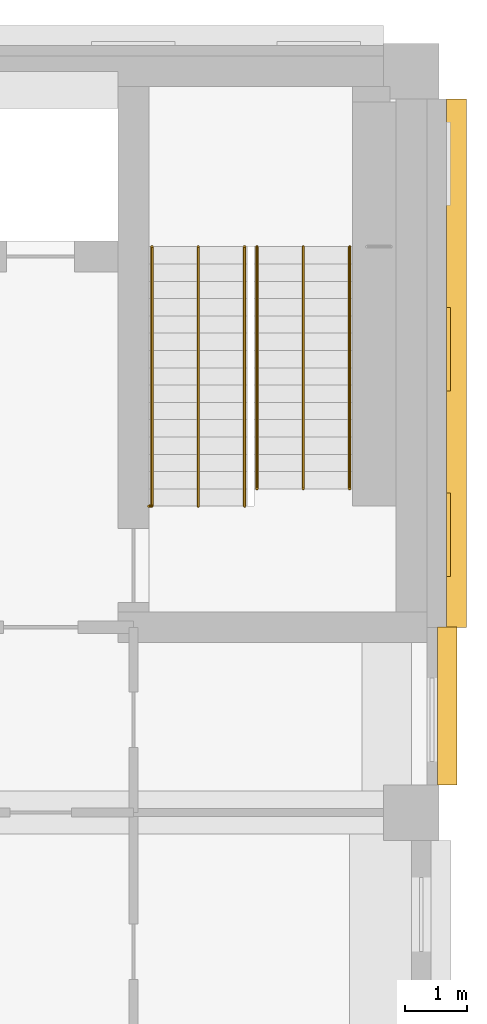
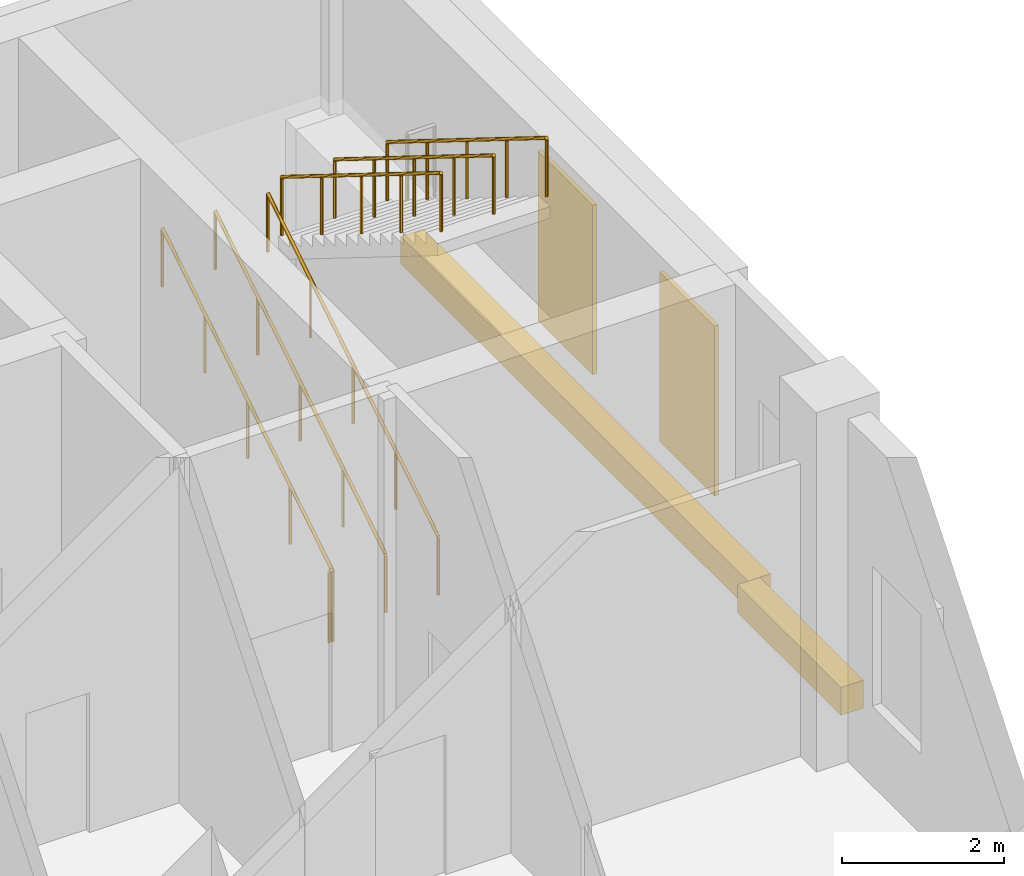
# One storey, part 46 of 53: 7 railings, 4 coverings.
"""IFC4 building model written with IfcOpenShell, lengths in metres."""

from ifc_helpers import new_model, si_unit, direction, frame, origin, origin_2d, place, context, subcontext, project, spatial, rectangle, circle, extrude, material, layer, layer_set, type_object, element, save


model = new_model("IFC4")

# Units and contexts
model_context = context("Model", 3, precision=1e-05, world=origin(), true_north=direction((0.0, 1.0)))
body_context = subcontext(model_context, "Body", "Model", "MODEL_VIEW")
ifc_project = project(units=[si_unit("LENGTHUNIT", "METRE"), si_unit("AREAUNIT", "SQUARE_METRE"), si_unit("VOLUMEUNIT", "CUBIC_METRE"), si_unit("PLANEANGLEUNIT", "RADIAN"), si_unit("MASSUNIT", "GRAM", prefix="KILO")], contexts=[model_context])

# Site, building, storey
site_placement = place(None, origin())
site = spatial("IfcSite", under=ifc_project, at=site_placement, CompositionType="ELEMENT")
building_placement = place(site_placement, origin())
building = spatial("IfcBuilding", under=site, at=building_placement, Name="Aurelan Courthouse", CompositionType="ELEMENT")
storey_placement = place(building_placement, frame((0.0, 0.0, 12.0)))
storey = spatial("IfcBuildingStorey", under=building, at=storey_placement, Name="L02", CompositionType="ELEMENT", Elevation=12.0)

# Coverings
ifc_material_1 = material(Name="Bronze sheet cladding")
ifc_layer = layer(ifc_material_1, 0.06005859375)
ifc_layer_set = layer_set([ifc_layer], Name="Bronze sheet cladding")
covering_type_1 = type_object("IfcCoveringType", Name="Law Library blind bay 1350 x 2550", PredefinedType="CLADDING", material=ifc_layer_set)
for number, where, z_axis, x_axis, name in (
    (1, (90.60009765625, 58.5, 1.2001953125), (0.0, 0.0, 1.0), (1.0, 0.0, 0.0), "Blind bay BB-V3-L02-007"),
    (2, (90.60009765625, 61.5, 1.2001953125), (0.0, 0.0, 1.0), (1.0, 0.0, 0.0), "Blind bay BB-V3-L02-008"),
):
    element("IfcCovering", number, at=place(storey_placement, frame(where, z_axis=z_axis, x_axis=x_axis)), inside=storey, type_object=covering_type_1, Name=name, PredefinedType="CLADDING", context=body_context, shape_type="SweptSolid", body=[
        extrude(rectangle(XDim=0.06005859375, YDim=1.35009765625, at=origin_2d()), origin(), (0.0, 0.0, 1.0), 2.550048828125),
    ])
ifc_material_2 = material(Name="Limestone cladding", Category="masonry")
covering_type_2 = type_object("IfcCoveringType", Name="Law Library string course 420 x 320", PredefinedType="CLADDING", material=ifc_material_2)
covering_1_placement = place(storey_placement, frame((90.580078125, 55.72509765625, 0.0), z_axis=(0.0, 0.0, 1.0), x_axis=(1.0, 0.0, 0.0)))
element("IfcCovering", 3, at=covering_1_placement, inside=storey, type_object=covering_type_2, Name="String course SC-V3-005", PredefinedType="CLADDING", context=body_context, shape_type="SweptSolid", body=[
    extrude(rectangle(XDim=0.320068359375, YDim=2.550048828125, at=origin_2d()), origin(), (0.0, 0.0, 1.0), 0.419921875),
])
covering_2_placement = place(storey_placement, frame((90.72998046875, 61.27490234375, 0.0), z_axis=(0.0, 0.0, 1.0), x_axis=(1.0, 0.0, 0.0)))
element("IfcCovering", 4, at=covering_2_placement, inside=storey, type_object=covering_type_2, Name="String course SC-V3-008", PredefinedType="CLADDING", context=body_context, shape_type="SweptSolid", body=[
    extrude(rectangle(XDim=0.320068359375, YDim=8.550048828125, at=origin_2d()), origin(), (0.0, 0.0, 1.0), 0.419921875),
])

# Railings
ifc_material_3 = material(Name="Steel S355", Category="steel")
railing_type_1 = type_object("IfcRailingType", Name="Stair guard 1100", PredefinedType="GUARDRAIL", material=ifc_material_3)
railing_placement = place(storey_placement, frame((85.800048828125, 58.9599609375, 0.0)))
element("IfcRailing", 5, at=railing_placement, inside=storey, type_object=railing_type_1, Name="Guard ST-3B-L02-H1-C", PredefinedType="GUARDRAIL", context=body_context, shape_type="SweptSolid", body=[
    extrude(circle(Radius=0.02392578125, at=origin_2d()), frame((0.0, 0.0, 1.076171875), z_axis=(-1.0, 0.0, 0.0), x_axis=(0.0, -1.0, 0.0)), (0.0, 0.0, 1.0), 0.050048828125),
    extrude(circle(Radius=0.02099609375, at=origin_2d()), origin(), (0.0, 0.0, 1.0), 1.052001953125),
    extrude(circle(Radius=0.02099609375, at=origin_2d()), frame((-0.050048828125, 0.0, 0.0)), (0.0, 0.0, 1.0), 1.052001953125),
])
railing_type_2 = type_object("IfcRailingType", Name="Stair handrail 900", PredefinedType="HANDRAIL", material=ifc_material_3)
for number, where, name in (
    (6, (85.800048828125, 58.9599609375, 0.17431640625), "Handrail ST-3B-L02-H1"),
    (7, (87.300048828125, 58.9599609375, 0.17431640625), "Handrail ST-3B-L02-H2"),
    (8, (86.550048828125, 58.9599609375, 0.17431640625), "Handrail ST-3B-L02-H3"),
):
    element("IfcRailing", number, at=place(storey_placement, frame(where)), inside=storey, type_object=railing_type_2, Name=name, PredefinedType="HANDRAIL", context=body_context, shape_type="SweptSolid", body=[
        extrude(circle(Radius=0.02392578125, at=origin_2d()), frame((0.0, 0.0, 0.8759765625), z_axis=(0.0, 0.849102848233, 0.528227558088), x_axis=(-1.0, 0.0, 0.0)), (0.0, 0.0, 1.0), 4.9462890625),
        extrude(circle(Radius=0.02099609375, at=origin_2d()), origin(), (0.0, 0.0, 1.0), 0.851806640625),
        extrude(circle(Radius=0.02099609375, at=origin_2d()), frame((0.0, 1.050048828125, 0.6533203125)), (0.0, 0.0, 1.0), 0.851806640625),
        extrude(circle(Radius=0.02099609375, at=origin_2d()), frame((0.0, 2.10009765625, 1.306396484375)), (0.0, 0.0, 1.0), 0.851806640625),
        extrude(circle(Radius=0.02099609375, at=origin_2d()), frame((0.0, 3.14990234375, 1.95947265625)), (0.0, 0.0, 1.0), 0.851806640625),
        extrude(circle(Radius=0.02099609375, at=origin_2d()), frame((0.0, 4.199951171875, 2.61279296875)), (0.0, 0.0, 1.0), 0.851806640625),
    ])
for number, where, name in (
    (9, (87.5, 63.159912109375, 2.961181640625), "Handrail ST-3B-L02-H4"),
    (10, (89.0, 63.159912109375, 2.961181640625), "Handrail ST-3B-L02-H5"),
    (11, (88.25, 63.159912109375, 2.961181640625), "Handrail ST-3B-L02-H6"),
):
    element("IfcRailing", number, at=place(storey_placement, frame(where)), inside=storey, type_object=railing_type_2, Name=name, PredefinedType="HANDRAIL", context=body_context, shape_type="SweptSolid", body=[
        extrude(circle(Radius=0.02392578125, at=origin_2d()), frame((0.0, 0.0, 0.8759765625), z_axis=(0.0, -0.849089811655, 0.528248513243), x_axis=(1.0, 0.0, 0.0)), (0.0, 0.0, 1.0), 4.61669921875),
        extrude(circle(Radius=0.02099609375, at=origin_2d()), origin(), (0.0, 0.0, 1.0), 0.851806640625),
        extrude(circle(Radius=0.02099609375, at=origin_2d()), frame((0.0, -0.97998046875, 0.609619140625)), (0.0, 0.0, 1.0), 0.851806640625),
        extrude(circle(Radius=0.02099609375, at=origin_2d()), frame((0.0, -1.9599609375, 1.21923828125)), (0.0, 0.0, 1.0), 0.851806640625),
        extrude(circle(Radius=0.02099609375, at=origin_2d()), frame((0.0, -2.93994140625, 1.8291015625)), (0.0, 0.0, 1.0), 0.851806640625),
        extrude(circle(Radius=0.02099609375, at=origin_2d()), frame((0.0, -3.919921875, 2.438720703125)), (0.0, 0.0, 1.0), 0.851806640625),
    ])

save(model, "model.ifc")
